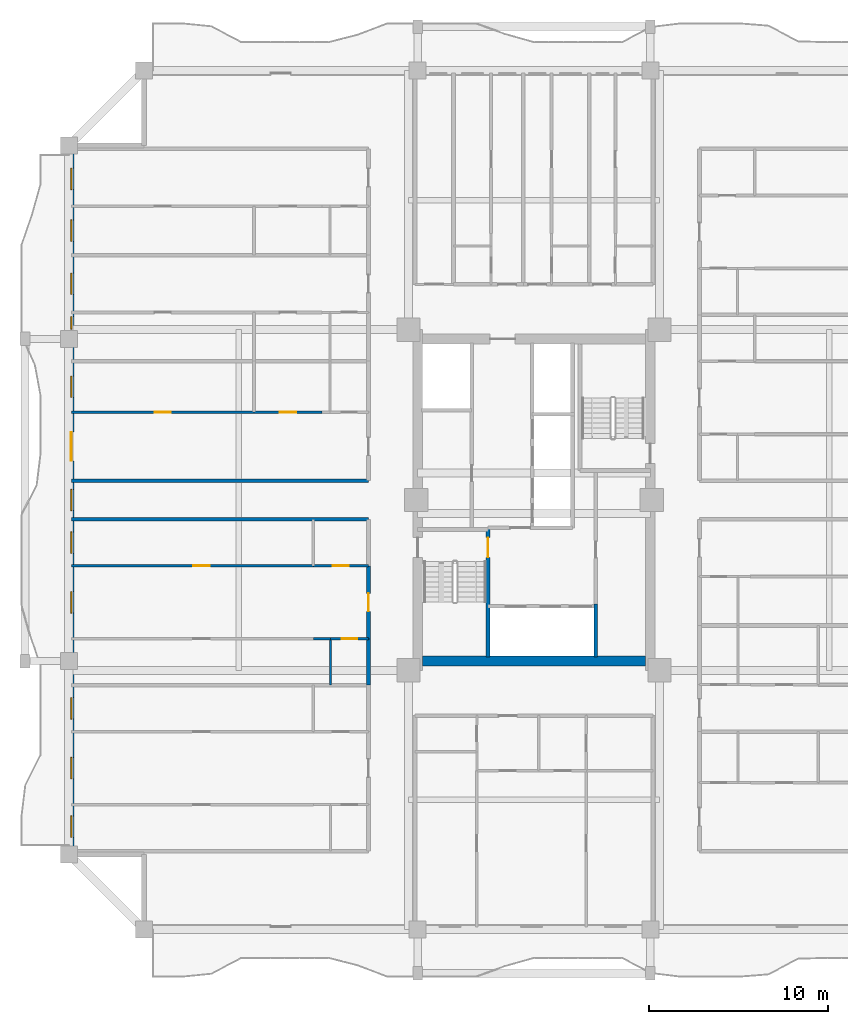
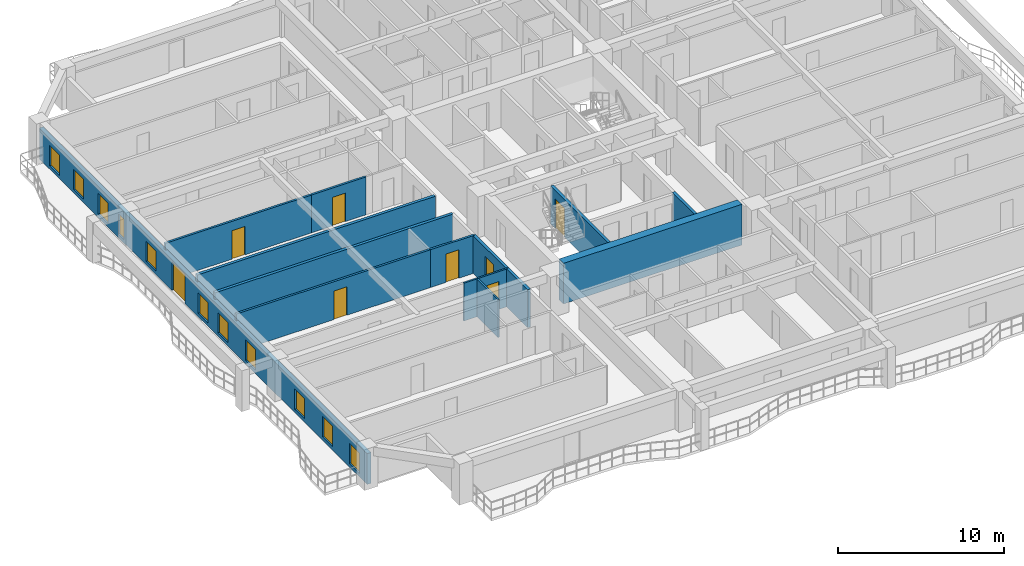
# One storey, part 3 of 14: 15 walls, 11 windows, 8 doors, 19 openings.
"""IFC4 building model written with IfcOpenShell, lengths in metres."""

from ifc_helpers import new_model, si_unit, direction, frame, frame_2d, origin, place, context, subcontext, project, spatial, rectangle, extrude, source, transform, mapped, material, layer, layer_set, type_object, element, fill, save


model = new_model("IFC4")

# Units and contexts
model_context = context("Model", 3, precision=1e-05, world=origin(), true_north=direction((0.0, 1.0)))
body_context = subcontext(model_context, "Body", "Model", "MODEL_VIEW")
ifc_project = project(units=[si_unit("LENGTHUNIT", "METRE"), si_unit("AREAUNIT", "SQUARE_METRE"), si_unit("VOLUMEUNIT", "CUBIC_METRE"), si_unit("PLANEANGLEUNIT", "RADIAN"), si_unit("MASSUNIT", "GRAM", prefix="KILO")], contexts=[model_context])

# Site, building, storey
site_placement = place(None, origin())
site = spatial("IfcSite", under=ifc_project, at=site_placement, CompositionType="ELEMENT")
building_placement = place(site_placement, origin())
building = spatial("IfcBuilding", under=site, at=building_placement, Name="Saelheon Loggia Tower", CompositionType="ELEMENT")
storey_placement = place(building_placement, frame((0.0, 0.0, 119.85009765625)))
storey = spatial("IfcBuildingStorey", under=building, at=storey_placement, Name="L38", CompositionType="ELEMENT", Elevation=119.85009765625)

# Wall
ifc_material_1 = material(Name="Concrete C50/60", Category="concrete")
ifc_layer_1 = layer(ifc_material_1, 0.550048828125)
ifc_layer_set_1 = layer_set([ifc_layer_1], Name="Concrete C50/60")
wall_type_1 = type_object("IfcWallType", Name="Wall_CoreShear_550", PredefinedType="SHEAR", material=ifc_layer_set_1)
wall_1_placement = place(storey_placement, frame((31.77490234375, 18.0, 0.0), z_axis=(0.0, 0.0, 1.0), x_axis=(1.0, 0.0, 0.0)))
element("IfcWall", 1, at=wall_1_placement, inside=storey, type_object=wall_type_1, Name="L38 Core Shear Wall South", PredefinedType="SHEAR", context=body_context, shape_type="SweptSolid", body=[
    extrude(rectangle(XDim=12.4501953125, YDim=0.550048828125, at=frame_2d((6.22509765625, 0.0))), origin(), (0.0, 0.0, 1.0), 3.0),
])

# Wall, openings, windows, door
ifc_material_2 = material(Name="Architectural Precast Concrete C40/50", Category="concrete")
ifc_layer_2 = layer(ifc_material_2, 0.280029296875)
ifc_layer_set_2 = layer_set([ifc_layer_2], Name="Architectural Precast Concrete C40/50")
wall_type_2 = type_object("IfcWallType", Name="Wall_Ext_Loggia_280", PredefinedType="SOLIDWALL", material=ifc_layer_set_2)
wall_2_placement = place(storey_placement, frame((12.139892578125, 7.199951171875, 0.0), z_axis=(0.0, 0.0, 1.0), x_axis=(0.0, 1.0, 0.0)))
wall_2 = element("IfcWall", 2, at=wall_2_placement, inside=storey, type_object=wall_type_2, Name="L38 West Loggia Inner Wall", PredefinedType="SOLIDWALL", context=body_context, shape_type="SweptSolid", body=[
    extrude(rectangle(XDim=39.60009765625, YDim=0.280029296875, at=frame_2d((19.800048828125, 0.0))), origin(), (0.0, 0.0, 1.0), 2.27978515625),
])
opening_1_placement = place(wall_2_placement, frame((0.9453125, 0.0, 0.25)))
opening_1 = element("IfcOpeningElement", 3, at=opening_1_placement, cuts=wall_2, Name="Opening WN-03", PredefinedType="OPENING", context=body_context, shape_type="SweptSolid", body=[
    extrude(rectangle(XDim=1.199951171875, YDim=1.5, at=frame_2d((0.60009765625, 0.75))), frame((0.0, 0.152099609375, 0.0), z_axis=(0.0, -1.0, 0.0), x_axis=(1.0, 0.0, 0.0)), (0.0, 0.0, 1.0), 0.303955078125),
])
opening_2_placement = place(wall_2_placement, frame((4.212890625, 0.0, 0.25)))
opening_2 = element("IfcOpeningElement", 4, at=opening_2_placement, cuts=wall_2, Name="Opening WN-03", PredefinedType="OPENING", context=body_context, shape_type="SweptSolid", body=[
    extrude(rectangle(XDim=1.199951171875, YDim=1.5, at=frame_2d((0.60009765625, 0.75))), frame((0.0, 0.152099609375, 0.0), z_axis=(0.0, -1.0, 0.0), x_axis=(1.0, 0.0, 0.0)), (0.0, 0.0, 1.0), 0.303955078125),
])
opening_3_placement = place(wall_2_placement, frame((7.550048828125, 0.0, 0.25)))
opening_3 = element("IfcOpeningElement", 5, at=opening_3_placement, cuts=wall_2, Name="Opening WN-03", PredefinedType="OPENING", context=body_context, shape_type="SweptSolid", body=[
    extrude(rectangle(XDim=1.199951171875, YDim=1.5, at=frame_2d((0.60009765625, 0.75))), frame((0.0, 0.152099609375, 0.0), z_axis=(0.0, -1.0, 0.0), x_axis=(1.0, 0.0, 0.0)), (0.0, 0.0, 1.0), 0.303955078125),
])
opening_4_placement = place(wall_2_placement, frame((13.48291015625, 0.0, 0.25)))
opening_4 = element("IfcOpeningElement", 6, at=opening_4_placement, cuts=wall_2, Name="Opening WN-03", PredefinedType="OPENING", context=body_context, shape_type="SweptSolid", body=[
    extrude(rectangle(XDim=1.199951171875, YDim=1.5, at=frame_2d((0.60009765625, 0.75))), frame((0.0, 0.152099609375, 0.0), z_axis=(0.0, -1.0, 0.0), x_axis=(1.0, 0.0, 0.0)), (0.0, 0.0, 1.0), 0.303955078125),
])
opening_5_placement = place(wall_2_placement, frame((16.820068359375, 0.0, 0.25)))
opening_5 = element("IfcOpeningElement", 7, at=opening_5_placement, cuts=wall_2, Name="Opening WN-03", PredefinedType="OPENING", context=body_context, shape_type="SweptSolid", body=[
    extrude(rectangle(XDim=1.199951171875, YDim=1.5, at=frame_2d((0.60009765625, 0.75))), frame((0.0, 0.152099609375, 0.0), z_axis=(0.0, -1.0, 0.0), x_axis=(1.0, 0.0, 0.0)), (0.0, 0.0, 1.0), 0.303955078125),
])
opening_6_placement = place(wall_2_placement, frame((19.199951171875, 0.0, 0.25)))
opening_6 = element("IfcOpeningElement", 8, at=opening_6_placement, cuts=wall_2, Name="Opening WN-03", PredefinedType="OPENING", context=body_context, shape_type="SweptSolid", body=[
    extrude(rectangle(XDim=1.199951171875, YDim=1.5, at=frame_2d((0.60009765625, 0.75))), frame((0.0, 0.152099609375, 0.0), z_axis=(0.0, -1.0, 0.0), x_axis=(1.0, 0.0, 0.0)), (0.0, 0.0, 1.0), 0.303955078125),
])
opening_7_placement = place(wall_2_placement, frame((21.9921875, 0.0, 0.0)))
opening_7 = element("IfcOpeningElement", 9, at=opening_7_placement, cuts=wall_2, Name="Opening DLG-1", PredefinedType="OPENING", context=body_context, shape_type="SweptSolid", body=[
    extrude(rectangle(XDim=1.60009765625, YDim=2.14990234375, at=frame_2d((0.800048828125, 1.074951171875))), frame((0.0, 0.152099609375, 0.0), z_axis=(0.0, -1.0, 0.0), x_axis=(1.0, 0.0, 0.0)), (0.0, 0.0, 1.0), 0.303955078125),
])
opening_8_placement = place(wall_2_placement, frame((25.529296875, 0.0, 0.25)))
opening_8 = element("IfcOpeningElement", 10, at=opening_8_placement, cuts=wall_2, Name="Opening WN-03", PredefinedType="OPENING", context=body_context, shape_type="SweptSolid", body=[
    extrude(rectangle(XDim=1.199951171875, YDim=1.5, at=frame_2d((0.60009765625, 0.75))), frame((0.0, 0.152099609375, 0.0), z_axis=(0.0, -1.0, 0.0), x_axis=(1.0, 0.0, 0.0)), (0.0, 0.0, 1.0), 0.303955078125),
])
opening_9_placement = place(wall_2_placement, frame((29.34912109375, 0.0, 0.25)))
opening_9 = element("IfcOpeningElement", 11, at=opening_9_placement, cuts=wall_2, Name="Opening WN-06", PredefinedType="OPENING", context=body_context, shape_type="SweptSolid", body=[
    extrude(rectangle(XDim=0.699951171875, YDim=1.5, at=frame_2d((0.35009765625, 0.75))), frame((0.0, 0.152099609375, 0.0), z_axis=(0.0, -1.0, 0.0), x_axis=(1.0, 0.0, 0.0)), (0.0, 0.0, 1.0), 0.303955078125),
])
opening_10_placement = place(wall_2_placement, frame((31.285400390625, 0.0, 0.25)))
opening_10 = element("IfcOpeningElement", 12, at=opening_10_placement, cuts=wall_2, Name="Opening WN-03", PredefinedType="OPENING", context=body_context, shape_type="SweptSolid", body=[
    extrude(rectangle(XDim=1.199951171875, YDim=1.5, at=frame_2d((0.60009765625, 0.75))), frame((0.0, 0.152099609375, 0.0), z_axis=(0.0, -1.0, 0.0), x_axis=(1.0, 0.0, 0.0)), (0.0, 0.0, 1.0), 0.303955078125),
])
opening_11_placement = place(wall_2_placement, frame((34.251708984375, 0.0, 0.25)))
opening_11 = element("IfcOpeningElement", 13, at=opening_11_placement, cuts=wall_2, Name="Opening WN-03", PredefinedType="OPENING", context=body_context, shape_type="SweptSolid", body=[
    extrude(rectangle(XDim=1.199951171875, YDim=1.5, at=frame_2d((0.60009765625, 0.75))), frame((0.0, 0.152099609375, 0.0), z_axis=(0.0, -1.0, 0.0), x_axis=(1.0, 0.0, 0.0)), (0.0, 0.0, 1.0), 0.303955078125),
])
opening_12_placement = place(wall_2_placement, frame((37.150634765625, 0.0, 0.25)))
opening_12 = element("IfcOpeningElement", 14, at=opening_12_placement, cuts=wall_2, Name="Opening WN-03", PredefinedType="OPENING", context=body_context, shape_type="SweptSolid", body=[
    extrude(rectangle(XDim=1.199951171875, YDim=1.5, at=frame_2d((0.60009765625, 0.75))), frame((0.0, 0.152099609375, 0.0), z_axis=(0.0, -1.0, 0.0), x_axis=(1.0, 0.0, 0.0)), (0.0, 0.0, 1.0), 0.303955078125),
])
ifc_material_3 = material(Name="Thermal-Break Aluminium and Triple Low-E Glass", Category="aluminium")
window_type_1 = type_object("IfcWindowType", Name="Win_Slot_700x1500", PartitioningType="SINGLE_PANEL", PredefinedType="WINDOW", material=ifc_material_3)
shared_shape_1 = source(origin(), body_context, "Body", "SweptSolid", [
    extrude(rectangle(XDim=0.699951171875, YDim=1.5, at=frame_2d((0.35009765625, 0.75))), frame((0.0, 0.030029296875, 0.0), z_axis=(0.0, -1.0, 0.0), x_axis=(1.0, 0.0, 0.0)), (0.0, 0.0, 1.0), 0.06005859375),
])
window_1_placement = place(opening_9_placement, origin())
window_1 = element("IfcWindow", 15, at=window_1_placement, inside=storey, type_object=window_type_1, Name="L38 W Dwelling Window 9", OverallHeight=1.5, OverallWidth=0.699951171875, PartitioningType="SINGLE_PANEL", PredefinedType="WINDOW", context=body_context, shape_type="MappedRepresentation", body=[
    mapped(shared_shape_1, transform((0.0, 0.0, 0.0), scale=1.0)),
])
fill(opening_9, window_1)
window_type_2 = type_object("IfcWindowType", Name="Win_Bedroom_1200x1500", PartitioningType="SINGLE_PANEL", PredefinedType="WINDOW", material=ifc_material_3)
shared_shape_2 = source(origin(), body_context, "Body", "SweptSolid", [
    extrude(rectangle(XDim=1.199951171875, YDim=1.5, at=frame_2d((0.60009765625, 0.75))), frame((0.0, 0.030029296875, 0.0), z_axis=(0.0, -1.0, 0.0), x_axis=(1.0, 0.0, 0.0)), (0.0, 0.0, 1.0), 0.06005859375),
])
window_2_placement = place(opening_1_placement, origin())
window_2 = element("IfcWindow", 16, at=window_2_placement, inside=storey, type_object=window_type_2, Name="L38 W Dwelling Window 1", OverallHeight=1.5, OverallWidth=1.199951171875, PartitioningType="SINGLE_PANEL", PredefinedType="WINDOW", context=body_context, shape_type="MappedRepresentation", body=[
    mapped(shared_shape_2, transform((0.0, 0.0, 0.0), scale=1.0)),
])
fill(opening_1, window_2)
window_3_placement = place(opening_2_placement, origin())
window_3 = element("IfcWindow", 17, at=window_3_placement, inside=storey, type_object=window_type_2, Name="L38 W Dwelling Window 2", OverallHeight=1.5, OverallWidth=1.199951171875, PartitioningType="SINGLE_PANEL", PredefinedType="WINDOW", context=body_context, shape_type="MappedRepresentation", body=[
    mapped(shared_shape_2, transform((0.0, 0.0, 0.0), scale=1.0)),
])
fill(opening_2, window_3)
window_4_placement = place(opening_3_placement, origin())
window_4 = element("IfcWindow", 18, at=window_4_placement, inside=storey, type_object=window_type_2, Name="L38 W Dwelling Window 3", OverallHeight=1.5, OverallWidth=1.199951171875, PartitioningType="SINGLE_PANEL", PredefinedType="WINDOW", context=body_context, shape_type="MappedRepresentation", body=[
    mapped(shared_shape_2, transform((0.0, 0.0, 0.0), scale=1.0)),
])
fill(opening_3, window_4)
window_5_placement = place(opening_4_placement, origin())
window_5 = element("IfcWindow", 19, at=window_5_placement, inside=storey, type_object=window_type_2, Name="L38 W Dwelling Window 4", OverallHeight=1.5, OverallWidth=1.199951171875, PartitioningType="SINGLE_PANEL", PredefinedType="WINDOW", context=body_context, shape_type="MappedRepresentation", body=[
    mapped(shared_shape_2, transform((0.0, 0.0, 0.0), scale=1.0)),
])
fill(opening_4, window_5)
window_6_placement = place(opening_5_placement, origin())
window_6 = element("IfcWindow", 20, at=window_6_placement, inside=storey, type_object=window_type_2, Name="L38 W Dwelling Window 5", OverallHeight=1.5, OverallWidth=1.199951171875, PartitioningType="SINGLE_PANEL", PredefinedType="WINDOW", context=body_context, shape_type="MappedRepresentation", body=[
    mapped(shared_shape_2, transform((0.0, 0.0, 0.0), scale=1.0)),
])
fill(opening_5, window_6)
window_7_placement = place(opening_6_placement, origin())
window_7 = element("IfcWindow", 21, at=window_7_placement, inside=storey, type_object=window_type_2, Name="L38 W Dwelling Window 6", OverallHeight=1.5, OverallWidth=1.199951171875, PartitioningType="SINGLE_PANEL", PredefinedType="WINDOW", context=body_context, shape_type="MappedRepresentation", body=[
    mapped(shared_shape_2, transform((0.0, 0.0, 0.0), scale=1.0)),
])
fill(opening_6, window_7)
window_8_placement = place(opening_8_placement, origin())
window_8 = element("IfcWindow", 22, at=window_8_placement, inside=storey, type_object=window_type_2, Name="L38 W Dwelling Window 8", OverallHeight=1.5, OverallWidth=1.199951171875, PartitioningType="SINGLE_PANEL", PredefinedType="WINDOW", context=body_context, shape_type="MappedRepresentation", body=[
    mapped(shared_shape_2, transform((0.0, 0.0, 0.0), scale=1.0)),
])
fill(opening_8, window_8)
window_9_placement = place(opening_10_placement, origin())
window_9 = element("IfcWindow", 23, at=window_9_placement, inside=storey, type_object=window_type_2, Name="L38 W Dwelling Window 10", OverallHeight=1.5, OverallWidth=1.199951171875, PartitioningType="SINGLE_PANEL", PredefinedType="WINDOW", context=body_context, shape_type="MappedRepresentation", body=[
    mapped(shared_shape_2, transform((0.0, 0.0, 0.0), scale=1.0)),
])
fill(opening_10, window_9)
window_10_placement = place(opening_11_placement, origin())
window_10 = element("IfcWindow", 24, at=window_10_placement, inside=storey, type_object=window_type_2, Name="L38 W Dwelling Window 11", OverallHeight=1.5, OverallWidth=1.199951171875, PartitioningType="SINGLE_PANEL", PredefinedType="WINDOW", context=body_context, shape_type="MappedRepresentation", body=[
    mapped(shared_shape_2, transform((0.0, 0.0, 0.0), scale=1.0)),
])
fill(opening_11, window_10)
window_11_placement = place(opening_12_placement, origin())
window_11 = element("IfcWindow", 25, at=window_11_placement, inside=storey, type_object=window_type_2, Name="L38 W Dwelling Window 12", OverallHeight=1.5, OverallWidth=1.199951171875, PartitioningType="SINGLE_PANEL", PredefinedType="WINDOW", context=body_context, shape_type="MappedRepresentation", body=[
    mapped(shared_shape_2, transform((0.0, 0.0, 0.0), scale=1.0)),
])
fill(opening_12, window_11)
ifc_material_4 = material(Name="Thermal-Break Aluminium Sliding Glazed Door", Category="aluminium")
door_type_1 = type_object("IfcDoorType", Name="Door_LoggiaSlide_1600", OperationType="SLIDING_TO_LEFT", PredefinedType="DOOR", material=ifc_material_4)
shared_shape_3 = source(origin(), body_context, "Body", "SweptSolid", [
    extrude(rectangle(XDim=1.60009765625, YDim=2.14990234375, at=frame_2d((0.800048828125, 1.074951171875))), frame((0.0, 0.02490234375, 0.0), z_axis=(0.0, -1.0, 0.0), x_axis=(1.0, 0.0, 0.0)), (0.0, 0.0, 1.0), 0.050048828125),
])
door_1_placement = place(opening_7_placement, origin())
door_1 = element("IfcDoor", 26, at=door_1_placement, inside=storey, type_object=door_type_1, Name="L38 W Loggia Access Door", OperationType="SLIDING_TO_LEFT", OverallHeight=2.14990234375, OverallWidth=1.60009765625, PredefinedType="DOOR", context=body_context, shape_type="MappedRepresentation", body=[
    mapped(shared_shape_3, transform((0.0, 0.0, 0.0), scale=1.0)),
])
fill(opening_7, door_1)

# Wall, opening, door
ifc_material_5 = material(Name="Lightweight Autoclaved Aerated Concrete Block and Acoustic Gypsum", Category="concrete")
ifc_layer_3 = layer(ifc_material_5, 0.14990234375)
ifc_layer_set_3 = layer_set([ifc_layer_3], Name="Lightweight Autoclaved Aerated Concrete Block and Acoustic Gypsum")
wall_type_3 = type_object("IfcWallType", Name="Wall_Part_150", PredefinedType="PARTITIONING", material=ifc_layer_set_3)
wall_3_placement = place(storey_placement, frame((28.75, 23.320068359375, 0.0), z_axis=(0.0, 0.0, 1.0), x_axis=(-1.0, 0.0, 0.0)))
wall_3 = element("IfcWall", 27, at=wall_3_placement, inside=storey, type_object=wall_type_3, Name="L38 WS Partition U22", PredefinedType="PARTITIONING", context=body_context, shape_type="SweptSolid", body=[
    extrude(rectangle(XDim=3.080078125, YDim=0.14990234375, at=frame_2d((1.5400390625, 0.0))), origin(), (0.0, 0.0, 1.0), 2.789794921875),
])
opening_13_placement = place(wall_3_placement, frame((1.090087890625, 0.0, 0.0)))
opening_13 = element("IfcOpeningElement", 28, at=opening_13_placement, cuts=wall_3, Name="Opening D-IN2", PredefinedType="OPENING", context=body_context, shape_type="SweptSolid", body=[
    extrude(rectangle(XDim=0.89990234375, YDim=2.10009765625, at=frame_2d((0.449951171875, 1.050048828125))), frame((0.0, 0.0869140625, 0.0), z_axis=(0.0, -1.0, 0.0), x_axis=(1.0, 0.0, 0.0)), (0.0, 0.0, 1.0), 0.173828125),
])
ifc_material_6 = material(Name="Engineered Oak Flush Door", Category="timber")
door_type_2 = type_object("IfcDoorType", Name="Door_Int_900", OperationType="NOTDEFINED", PredefinedType="DOOR", material=ifc_material_6)
shared_shape_4 = source(origin(), body_context, "Body", "SweptSolid", [
    extrude(rectangle(XDim=0.89990234375, YDim=2.10009765625, at=frame_2d((0.449951171875, 1.050048828125))), frame((0.0, 0.02490234375, 0.0), z_axis=(0.0, -1.0, 0.0), x_axis=(1.0, 0.0, 0.0)), (0.0, 0.0, 1.0), 0.050048828125),
])
door_2_placement = place(opening_13_placement, origin())
door_2 = element("IfcDoor", 29, at=door_2_placement, inside=storey, type_object=door_type_2, Name="Unit U06 Dressing Closet Door", OperationType="SINGLE_SWING_LEFT", OverallHeight=2.10009765625, OverallWidth=0.89990234375, PredefinedType="DOOR", context=body_context, shape_type="MappedRepresentation", body=[
    mapped(shared_shape_4, transform((0.0, 0.0, 0.0), scale=1.0)),
])
fill(opening_13, door_2)

wall_4_placement = place(storey_placement, frame((25.669921875, 23.320068359375, 0.0), z_axis=(0.0, 0.0, 1.0), x_axis=(-1.0, 0.0, 0.0)))
wall_4 = element("IfcWall", 30, at=wall_4_placement, inside=storey, type_object=wall_type_3, Name="L38 WS Partition U23", PredefinedType="PARTITIONING", context=body_context, shape_type="SweptSolid", body=[
    extrude(rectangle(XDim=13.52001953125, YDim=0.14990234375, at=frame_2d((6.760009765625, 0.0))), origin(), (0.0, 0.0, 1.0), 2.789794921875),
])
opening_14_placement = place(wall_4_placement, frame((5.80419921875, 0.0, 0.0)))
opening_14 = element("IfcOpeningElement", 31, at=opening_14_placement, cuts=wall_4, Name="Opening D-IN2", PredefinedType="OPENING", context=body_context, shape_type="SweptSolid", body=[
    extrude(rectangle(XDim=0.89990234375, YDim=2.10009765625, at=frame_2d((0.449951171875, 1.050048828125))), frame((0.0, 0.0869140625, 0.0), z_axis=(0.0, -1.0, 0.0), x_axis=(1.0, 0.0, 0.0)), (0.0, 0.0, 1.0), 0.173828125),
])
door_3_placement = place(opening_14_placement, origin())
door_3 = element("IfcDoor", 32, at=door_3_placement, inside=storey, type_object=door_type_2, Name="Unit U06 Bedroom 1 Door", OperationType="SINGLE_SWING_RIGHT", OverallHeight=2.10009765625, OverallWidth=0.89990234375, PredefinedType="DOOR", context=body_context, shape_type="MappedRepresentation", body=[
    mapped(shared_shape_4, transform((0.0, 0.0, 0.0), scale=1.0)),
])
fill(opening_14, door_3)

wall_5_placement = place(storey_placement, frame((26.14990234375, 31.904296875, 0.0), z_axis=(0.0, 0.0, 1.0), x_axis=(-1.0, 0.0, 0.0)))
wall_5 = element("IfcWall", 33, at=wall_5_placement, inside=storey, type_object=wall_type_3, Name="L38 WN Partition U09", PredefinedType="PARTITIONING", context=body_context, shape_type="SweptSolid", body=[
    extrude(rectangle(XDim=3.7998046875, YDim=0.14990234375, at=frame_2d((1.89990234375, 0.0))), origin(), (0.0, 0.0, 1.0), 2.789794921875),
])
opening_15_placement = place(wall_5_placement, frame((1.449951171875, 0.0, 0.0)))
opening_15 = element("IfcOpeningElement", 34, at=opening_15_placement, cuts=wall_5, Name="Opening D-IN2", PredefinedType="OPENING", context=body_context, shape_type="SweptSolid", body=[
    extrude(rectangle(XDim=0.89990234375, YDim=2.10009765625, at=frame_2d((0.449951171875, 1.050048828125))), frame((0.0, 0.0869140625, 0.0), z_axis=(0.0, -1.0, 0.0), x_axis=(1.0, 0.0, 0.0)), (0.0, 0.0, 1.0), 0.173828125),
])
door_4_placement = place(opening_15_placement, origin())
door_4 = element("IfcDoor", 35, at=door_4_placement, inside=storey, type_object=door_type_2, Name="Unit U07 Kitchen Door", OperationType="SINGLE_SWING_LEFT", OverallHeight=2.10009765625, OverallWidth=0.89990234375, PredefinedType="DOOR", context=body_context, shape_type="MappedRepresentation", body=[
    mapped(shared_shape_4, transform((0.0, 0.0, 0.0), scale=1.0)),
])
fill(opening_15, door_4)

wall_6_placement = place(storey_placement, frame((22.35009765625, 31.904296875, 0.0), z_axis=(0.0, 0.0, 1.0), x_axis=(-1.0, 0.0, 0.0)))
wall_6 = element("IfcWall", 36, at=wall_6_placement, inside=storey, type_object=wall_type_3, Name="L38 WN Partition U10", PredefinedType="PARTITIONING", context=body_context, shape_type="SweptSolid", body=[
    extrude(rectangle(XDim=10.2001953125, YDim=0.14990234375, at=frame_2d((5.10009765625, 0.0))), origin(), (0.0, 0.0, 1.0), 2.789794921875),
])
opening_16_placement = place(wall_6_placement, frame((4.64990234375, 0.0, 0.0)))
opening_16 = element("IfcOpeningElement", 37, at=opening_16_placement, cuts=wall_6, Name="Opening D-IN2", PredefinedType="OPENING", context=body_context, shape_type="SweptSolid", body=[
    extrude(rectangle(XDim=0.89990234375, YDim=2.10009765625, at=frame_2d((0.449951171875, 1.050048828125))), frame((0.0, 0.0869140625, 0.0), z_axis=(0.0, -1.0, 0.0), x_axis=(1.0, 0.0, 0.0)), (0.0, 0.0, 1.0), 0.173828125),
])
door_5_placement = place(opening_16_placement, origin())
door_5 = element("IfcDoor", 38, at=door_5_placement, inside=storey, type_object=door_type_2, Name="Unit U07 Bedroom 1 Door", OperationType="SINGLE_SWING_RIGHT", OverallHeight=2.10009765625, OverallWidth=0.89990234375, PredefinedType="DOOR", context=body_context, shape_type="MappedRepresentation", body=[
    mapped(shared_shape_4, transform((0.0, 0.0, 0.0), scale=1.0)),
])
fill(opening_16, door_5)

# Walls
ifc_material_7 = material(Name="Double Acoustic Stud and Fireboard Partition", Category="gypsum")
ifc_layer_4 = layer(ifc_material_7, 0.199951171875)
ifc_layer_set_4 = layer_set([ifc_layer_4], Name="Double Acoustic Stud and Fireboard Partition")
wall_type_4 = type_object("IfcWallType", Name="Wall_Party_200", PredefinedType="PARTITIONING", material=ifc_layer_set_4)
wall_7_placement = place(storey_placement, frame((28.75, 25.919921875, 0.0), z_axis=(0.0, 0.0, 1.0), x_axis=(-1.0, 0.0, 0.0)))
element("IfcWall", 39, at=wall_7_placement, inside=storey, type_object=wall_type_4, Name="L38 WS Partition U02", PredefinedType="PARTITIONING", context=body_context, shape_type="SweptSolid", body=[
    extrude(rectangle(XDim=16.60009765625, YDim=0.199951171875, at=frame_2d((8.300048828125, 0.0))), origin(), (0.0, 0.0, 1.0), 2.789794921875),
])
wall_8_placement = place(storey_placement, frame((28.75, 16.64990234375, 0.0), z_axis=(0.0, 0.0, 1.0), x_axis=(0.0, 1.0, 0.0)))
element("IfcWall", 40, at=wall_8_placement, inside=storey, type_object=wall_type_4, Name="L38 WS Partition V14", PredefinedType="PARTITIONING", context=body_context, shape_type="SweptSolid", body=[
    extrude(rectangle(XDim=2.595703125, YDim=0.199951171875, at=frame_2d((1.2978515625, 0.0))), origin(), (0.0, 0.0, 1.0), 2.789794921875),
])

# Wall, opening, door
wall_9_placement = place(storey_placement, frame((28.75, 19.24560546875, 0.0), z_axis=(0.0, 0.0, 1.0), x_axis=(0.0, 1.0, 0.0)))
wall_9 = element("IfcWall", 41, at=wall_9_placement, inside=storey, type_object=wall_type_4, Name="L38 WS Partition V15", PredefinedType="PARTITIONING", context=body_context, shape_type="SweptSolid", body=[
    extrude(rectangle(XDim=4.074462890625, YDim=0.199951171875, at=frame_2d((2.037109375, 0.0))), origin(), (0.0, 0.0, 1.0), 2.789794921875),
])
opening_17_placement = place(wall_9_placement, frame((1.537109375, 0.0, 0.0)))
opening_17 = element("IfcOpeningElement", 42, at=opening_17_placement, cuts=wall_9, Name="Opening D-FD1", PredefinedType="OPENING", context=body_context, shape_type="SweptSolid", body=[
    extrude(rectangle(XDim=1.0, YDim=2.14990234375, at=frame_2d((0.5, 1.074951171875))), frame((0.0, 0.112060546875, 0.0), z_axis=(0.0, -1.0, 0.0), x_axis=(1.0, 0.0, 0.0)), (0.0, 0.0, 1.0), 0.223876953125),
])
ifc_material_8 = material(Name="Fire-Rated Engineered Timber Entrance Door", Category="wood")
door_type_3 = type_object("IfcDoorType", Name="Door_Flat_FD30S", OperationType="NOTDEFINED", PredefinedType="DOOR", material=ifc_material_8)
shared_shape_5 = source(origin(), body_context, "Body", "SweptSolid", [
    extrude(rectangle(XDim=1.0, YDim=2.14990234375, at=frame_2d((0.5, 1.074951171875))), frame((0.0, 0.02490234375, 0.0), z_axis=(0.0, -1.0, 0.0), x_axis=(1.0, 0.0, 0.0)), (0.0, 0.0, 1.0), 0.050048828125),
])
door_6_placement = place(opening_17_placement, origin())
door_6 = element("IfcDoor", 43, at=door_6_placement, inside=storey, type_object=door_type_3, Name="Unit U06 Entrance Door", OperationType="SINGLE_SWING_RIGHT", OverallHeight=2.14990234375, OverallWidth=1.0, PredefinedType="DOOR", context=body_context, shape_type="MappedRepresentation", body=[
    mapped(shared_shape_5, transform((0.0, 0.0, 0.0), scale=1.0)),
])
fill(opening_17, door_6)

# Walls
wall_10_placement = place(storey_placement, frame((28.75, 28.080078125, 0.0), z_axis=(0.0, 0.0, 1.0), x_axis=(-1.0, 0.0, 0.0)))
element("IfcWall", 44, at=wall_10_placement, inside=storey, type_object=wall_type_4, Name="L38 WN Partition U01", PredefinedType="PARTITIONING", context=body_context, shape_type="SweptSolid", body=[
    extrude(rectangle(XDim=16.60009765625, YDim=0.199951171875, at=frame_2d((8.300048828125, 0.0))), origin(), (0.0, 0.0, 1.0), 2.789794921875),
])
ifc_material_9 = material(Name="Concrete C40/50", Category="concrete")
ifc_layer_5 = layer(ifc_material_9, 0.199951171875)
ifc_layer_set_5 = layer_set([ifc_layer_5], Name="Concrete C40/50")
wall_type_5 = type_object("IfcWallType", Name="Wall_Shaft_200", PredefinedType="PARTITIONING", material=ifc_layer_set_5)
wall_11_placement = place(storey_placement, frame((41.449951171875, 18.219970703125, 0.0), z_axis=(0.0, 0.0, 1.0), x_axis=(0.0, 1.0, 0.0)))
element("IfcWall", 45, at=wall_11_placement, inside=storey, type_object=wall_type_5, Name="CW-INT-L38-BOH-W0", PredefinedType="PARTITIONING", context=body_context, shape_type="SweptSolid", body=[
    extrude(rectangle(XDim=2.9599609375, YDim=0.199951171875, at=frame_2d((1.47998046875, 0.0))), origin(), (0.0, 0.0, 1.0), 2.789794921875),
])

# Wall, opening, door
ifc_material_10 = material(Name="Concrete C45/55", Category="concrete")
ifc_layer_6 = layer(ifc_material_10, 0.199951171875)
ifc_layer_set_6 = layer_set([ifc_layer_6], Name="Concrete C45/55")
wall_type_6 = type_object("IfcWallType", Name="Wall_StairShaft_RC200", PredefinedType="SOLIDWALL", material=ifc_layer_set_6)
wall_12_placement = place(storey_placement, frame((35.429931640625, 18.219970703125, 0.0), z_axis=(0.0, 0.0, 1.0), x_axis=(0.0, 1.0, 0.0)))
wall_12 = element("IfcWall", 46, at=wall_12_placement, inside=storey, type_object=wall_type_6, Name="L38 Stair ST1 Shaft Wall", PredefinedType="SOLIDWALL", context=body_context, shape_type="SweptSolid", body=[
    extrude(rectangle(XDim=7.219970703125, YDim=0.199951171875, at=frame_2d((3.60986328125, 0.0))), origin(), (0.0, 0.0, 1.0), 2.789794921875),
])
opening_18_placement = place(wall_12_placement, frame((6.68017578125, 0.0, 0.0), z_axis=(0.0, 0.0, 1.0), x_axis=(-1.0, 0.0, 0.0)))
opening_18 = element("IfcOpeningElement", 47, at=opening_18_placement, cuts=wall_12, Name="Opening D-FD2", PredefinedType="OPENING", context=body_context, shape_type="SweptSolid", body=[
    extrude(rectangle(XDim=1.10009765625, YDim=2.14990234375, at=frame_2d((0.550048828125, 1.074951171875))), frame((0.0, 0.112060546875, 0.0), z_axis=(0.0, -1.0, 0.0), x_axis=(1.0, 0.0, 0.0)), (0.0, 0.0, 1.0), 0.223876953125),
])
ifc_material_11 = material(Name="Galvanised Steel Fire Door", Category="steel")
door_type_4 = type_object("IfcDoorType", Name="Door_Fire_FD60_1100", OperationType="NOTDEFINED", PredefinedType="DOOR", material=ifc_material_11)
shared_shape_6 = source(origin(), body_context, "Body", "SweptSolid", [
    extrude(rectangle(XDim=1.10009765625, YDim=2.14990234375, at=frame_2d((0.550048828125, 1.074951171875))), frame((0.0, 0.02490234375, 0.0), z_axis=(0.0, -1.0, 0.0), x_axis=(1.0, 0.0, 0.0)), (0.0, 0.0, 1.0), 0.050048828125),
])
door_7_placement = place(opening_18_placement, origin())
door_7 = element("IfcDoor", 48, at=door_7_placement, inside=storey, type_object=door_type_4, Name="L38 Stair ST1 Lobby Door", OperationType="SINGLE_SWING_RIGHT", OverallHeight=2.14990234375, OverallWidth=1.10009765625, PredefinedType="DOOR", context=body_context, shape_type="MappedRepresentation", body=[
    mapped(shared_shape_6, transform((0.0, 0.0, 0.0), scale=1.0)),
])
fill(opening_18, door_7)

# Wall
ifc_material_12 = material(Name="Moisture-Resistant Cement Board Partition", Category="gypsum")
ifc_layer_7 = layer(ifc_material_12, 0.1201171875)
ifc_layer_set_7 = layer_set([ifc_layer_7], Name="Moisture-Resistant Cement Board Partition")
wall_type_7 = type_object("IfcWallType", Name="Wall_WetPart_120", PredefinedType="PARTITIONING", material=ifc_layer_set_7)
wall_13_placement = place(storey_placement, frame((26.6298828125, 16.64990234375, 0.0), z_axis=(0.0, 0.0, 1.0), x_axis=(0.0, 1.0, 0.0)))
element("IfcWall", 49, at=wall_13_placement, inside=storey, type_object=wall_type_7, Name="L38 WS Partition V17", PredefinedType="PARTITIONING", context=body_context, shape_type="SweptSolid", body=[
    extrude(rectangle(XDim=2.595703125, YDim=0.1201171875, at=frame_2d((1.2978515625, 0.0))), origin(), (0.0, 0.0, 1.0), 2.789794921875),
])

# Wall, opening, door
wall_14_placement = place(storey_placement, frame((28.75, 19.24560546875, 0.0), z_axis=(0.0, 0.0, 1.0), x_axis=(-1.0, 0.0, 0.0)))
wall_14 = element("IfcWall", 50, at=wall_14_placement, inside=storey, type_object=wall_type_7, Name="L38 WS Partition U19", PredefinedType="PARTITIONING", context=body_context, shape_type="SweptSolid", body=[
    extrude(rectangle(XDim=2.1201171875, YDim=0.1201171875, at=frame_2d((1.06005859375, 0.0))), origin(), (0.0, 0.0, 1.0), 2.789794921875),
])
opening_19_placement = place(wall_14_placement, frame((0.635009765625, 0.0, 0.0)))
opening_19 = element("IfcOpeningElement", 51, at=opening_19_placement, cuts=wall_14, Name="Opening D-BT1", PredefinedType="OPENING", context=body_context, shape_type="SweptSolid", body=[
    extrude(rectangle(XDim=0.85009765625, YDim=2.050048828125, at=frame_2d((0.425048828125, 1.02490234375))), frame((0.0, 0.072021484375, 0.0), z_axis=(0.0, -1.0, 0.0), x_axis=(1.0, 0.0, 0.0)), (0.0, 0.0, 1.0), 0.14404296875),
])
ifc_material_13 = material(Name="Moisture-Resistant Laminate Timber Door", Category="wood")
door_type_5 = type_object("IfcDoorType", Name="Door_Bath_850", OperationType="NOTDEFINED", PredefinedType="DOOR", material=ifc_material_13)
shared_shape_7 = source(origin(), body_context, "Body", "SweptSolid", [
    extrude(rectangle(XDim=0.85009765625, YDim=2.050048828125, at=frame_2d((0.425048828125, 1.02490234375))), frame((0.0, 0.02490234375, 0.0), z_axis=(0.0, -1.0, 0.0), x_axis=(1.0, 0.0, 0.0)), (0.0, 0.0, 1.0), 0.050048828125),
])
door_8_placement = place(opening_19_placement, origin())
door_8 = element("IfcDoor", 52, at=door_8_placement, inside=storey, type_object=door_type_5, Name="Unit U06 Bathroom Door", OperationType="SINGLE_SWING_LEFT", OverallHeight=2.050048828125, OverallWidth=0.85009765625, PredefinedType="DOOR", context=body_context, shape_type="MappedRepresentation", body=[
    mapped(shared_shape_7, transform((0.0, 0.0, 0.0), scale=1.0)),
])
fill(opening_19, door_8)

# Wall
wall_15_placement = place(storey_placement, frame((26.6298828125, 19.24560546875, 0.0), z_axis=(0.0, 0.0, 1.0), x_axis=(-1.0, 0.0, 0.0)))
element("IfcWall", 53, at=wall_15_placement, inside=storey, type_object=wall_type_7, Name="L38 WS Partition U20", PredefinedType="PARTITIONING", context=body_context, shape_type="SweptSolid", body=[
    extrude(rectangle(XDim=0.9599609375, YDim=0.1201171875, at=frame_2d((0.47998046875, 0.0))), origin(), (0.0, 0.0, 1.0), 2.789794921875),
])

save(model, "model.ifc")
